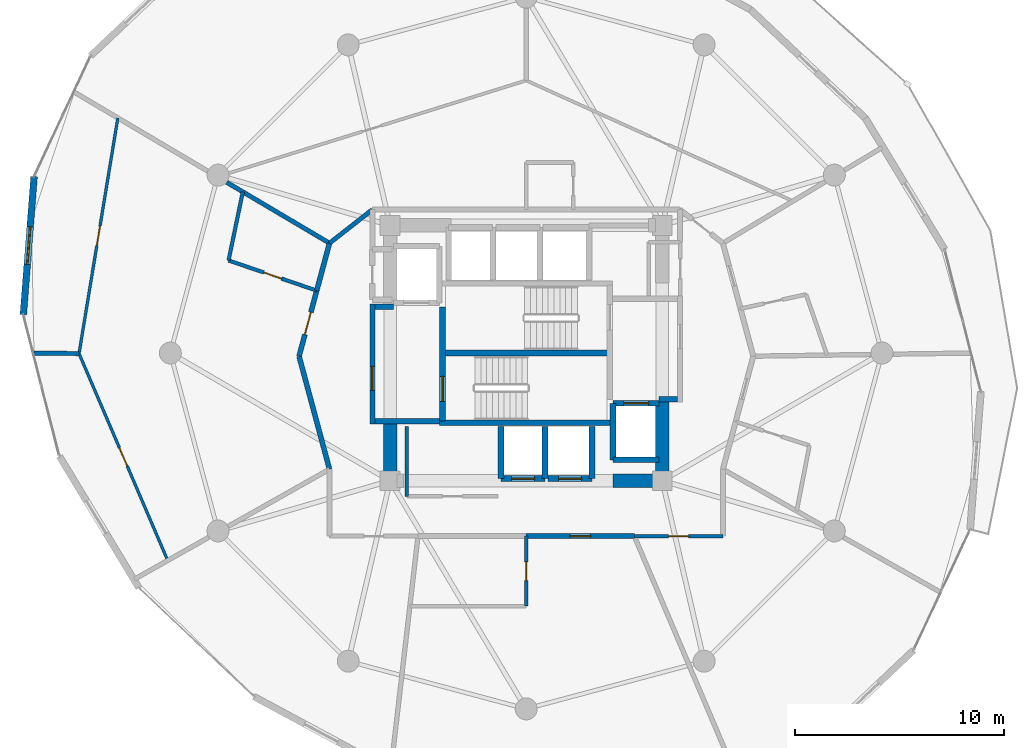
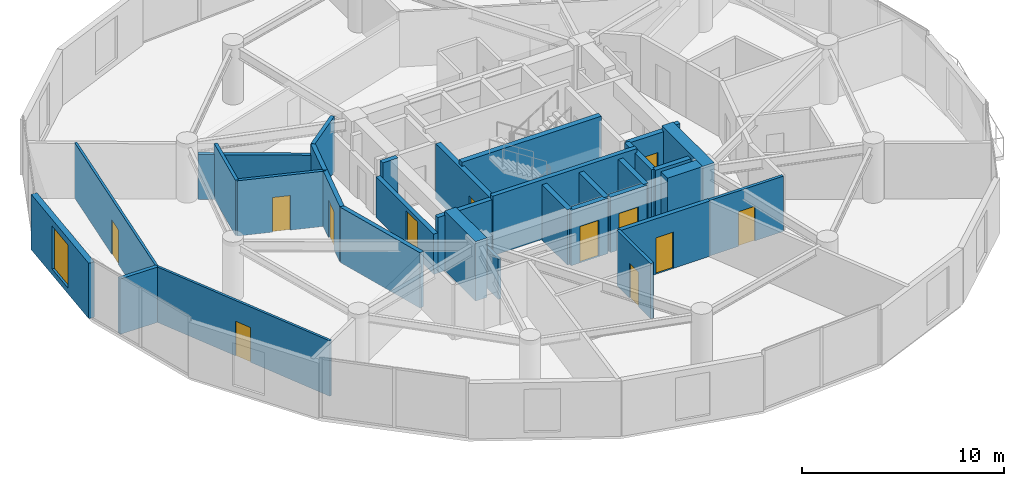
# One storey, part 20 of 25: 33 walls, 12 doors, 1 window, 13 openings.
"""IFC4 building model written with IfcOpenShell, lengths in metres."""

from ifc_helpers import new_model, si_unit, direction, frame, frame_2d, origin, place, context, subcontext, project, spatial, rectangle, extrude, material, layer, layer_set, type_object, element, fill, save


model = new_model("IFC4")

# Units and contexts
model_context = context("Model", 3, precision=1e-05, world=origin(), true_north=direction((0.0, 1.0)))
body_context = subcontext(model_context, "Body", "Model", "MODEL_VIEW")
ifc_project = project(units=[si_unit("LENGTHUNIT", "METRE"), si_unit("AREAUNIT", "SQUARE_METRE"), si_unit("VOLUMEUNIT", "CUBIC_METRE"), si_unit("PLANEANGLEUNIT", "RADIAN"), si_unit("MASSUNIT", "GRAM", prefix="KILO")], contexts=[model_context])

# Site, building, storey
site_placement = place(None, origin())
site = spatial("IfcSite", under=ifc_project, at=site_placement, CompositionType="ELEMENT")
building_placement = place(site_placement, origin())
building = spatial("IfcBuilding", under=site, at=building_placement, Name="Solvirekh Grand Hotel", CompositionType="ELEMENT")
storey_placement = place(building_placement, frame((0.0, 0.0, 120.60009765625)))
storey = spatial("IfcBuildingStorey", under=building, at=storey_placement, Name="L30", CompositionType="ELEMENT", Elevation=120.60009765625)

# Wall
ifc_material_1 = material(Name="Concrete C50/60", Category="concrete")
ifc_layer_1 = layer(ifc_material_1, 0.35009765625)
ifc_layer_set_1 = layer_set([ifc_layer_1], Name="Concrete C50/60")
wall_type_1 = type_object("IfcWallType", Name="CoreDivWall_RC350", PredefinedType="SOLIDWALL", material=ifc_layer_set_1)
wall_1_placement = place(storey_placement, frame((-4.1298828125, -3.324951171875, 0.0), z_axis=(0.0, 0.0, 1.0), x_axis=(1.0, 0.0, 0.0)))
element("IfcWall", 1, at=wall_1_placement, inside=storey, type_object=wall_type_1, Name="L30 core stair box wall ST-S", PredefinedType="SOLIDWALL", context=body_context, shape_type="SweptSolid", body=[
    extrude(rectangle(XDim=8.259765625, YDim=0.25, at=frame_2d((4.1298828125, 0.0))), origin(), (0.0, 0.0, 1.0), 3.599853515625),
])

# Wall, opening, door
ifc_material_2 = material(Name="Concrete C40/50", Category="concrete")
ifc_layer_2 = layer(ifc_material_2, 0.280029296875)
ifc_layer_set_2 = layer_set([ifc_layer_2], Name="Concrete C40/50")
wall_type_2 = type_object("IfcWallType", Name="CoreShaftWall_RC280", PredefinedType="SOLIDWALL", material=ifc_layer_set_2)
wall_2_placement = place(storey_placement, frame((-1.199951171875, -6.0, 0.0), z_axis=(0.0, 0.0, 1.0), x_axis=(1.0, 0.0, 0.0)))
wall_2 = element("IfcWall", 2, at=wall_2_placement, inside=storey, type_object=wall_type_2, Name="L30 MP-1 hoistway S wall", PredefinedType="SOLIDWALL", context=body_context, shape_type="SweptSolid", body=[
    extrude(rectangle(XDim=2.099853515625, YDim=0.280029296875, at=frame_2d((1.0498046875, 0.0))), origin(), (0.0, 0.0, 1.0), 3.349853515625),
])
opening_1_placement = place(wall_2_placement, frame((0.5, 0.0, 0.0)))
opening_1 = element("IfcOpeningElement", 3, at=opening_1_placement, cuts=wall_2, Name="Opening LD01", PredefinedType="OPENING", context=body_context, shape_type="SweptSolid", body=[
    extrude(rectangle(XDim=1.10009765625, YDim=2.199951171875, at=frame_2d((0.550048828125, 1.10009765625))), frame((0.0, 0.14990234375, 0.0), z_axis=(0.0, -1.0, 0.0), x_axis=(1.0, 0.0, 0.0)), (0.0, 0.0, 1.0), 0.300048828125),
])
ifc_material_3 = material(Name="Fire-Rated Steel Door Assembly", Category="steel")
door_type_1 = type_object("IfcDoorType", Name="Door_LiftLanding_1100X2200", OperationType="SLIDING_TO_LEFT", PredefinedType="DOOR", material=ifc_material_3)
door_1_placement = place(opening_1_placement, origin())
door_1 = element("IfcDoor", 4, at=door_1_placement, inside=storey, type_object=door_type_1, Name="L30 MP-1 sliding lift landing door", OperationType="SLIDING_TO_LEFT", OverallHeight=2.199951171875, OverallWidth=1.10009765625, PredefinedType="DOOR", context=body_context, shape_type="SweptSolid", body=[
    extrude(rectangle(XDim=1.10009765625, YDim=2.199951171875, at=frame_2d((0.550048828125, 1.10009765625))), frame((0.0, 0.02490234375, 0.0), z_axis=(0.0, -1.0, 0.0), x_axis=(1.0, 0.0, 0.0)), (0.0, 0.0, 1.0), 0.050048828125),
])
fill(opening_1, door_1)

# Walls
for number, where, z_axis, x_axis, name in (
    (5, (-1.199951171875, -3.5, 0.0), (0.0, 0.0, 1.0), (0.0, -1.0, 0.0), "L30 MP-1 hoistway W wall"),
    (6, (0.89990234375, -6.0, 0.0), (0.0, 0.0, 1.0), (0.0, 1.0, 0.0), "L30 MP-1 hoistway E wall"),
):
    element("IfcWall", number, at=place(storey_placement, frame(where, z_axis=z_axis, x_axis=x_axis)), inside=storey, type_object=wall_type_2, Name=name, PredefinedType="SOLIDWALL", context=body_context, shape_type="SweptSolid", body=[
        extrude(rectangle(XDim=2.5, YDim=0.280029296875, at=frame_2d((1.25, 0.0))), origin(), (0.0, 0.0, 1.0), 3.349853515625),
    ])

# Wall, opening, door
wall_3_placement = place(storey_placement, frame((1.050048828125, -6.0, 0.0), z_axis=(0.0, 0.0, 1.0), x_axis=(1.0, 0.0, 0.0)))
wall_3 = element("IfcWall", 7, at=wall_3_placement, inside=storey, type_object=wall_type_2, Name="L30 MP-2 hoistway S wall", PredefinedType="SOLIDWALL", context=body_context, shape_type="SweptSolid", body=[
    extrude(rectangle(XDim=2.099853515625, YDim=0.280029296875, at=frame_2d((1.0498046875, 0.0))), origin(), (0.0, 0.0, 1.0), 3.349853515625),
])
opening_2_placement = place(wall_3_placement, frame((0.5, 0.0, 0.0)))
opening_2 = element("IfcOpeningElement", 8, at=opening_2_placement, cuts=wall_3, Name="Opening LD01", PredefinedType="OPENING", context=body_context, shape_type="SweptSolid", body=[
    extrude(rectangle(XDim=1.10009765625, YDim=2.199951171875, at=frame_2d((0.550048828125, 1.10009765625))), frame((0.0, 0.14990234375, 0.0), z_axis=(0.0, -1.0, 0.0), x_axis=(1.0, 0.0, 0.0)), (0.0, 0.0, 1.0), 0.300048828125),
])
door_2_placement = place(opening_2_placement, origin())
door_2 = element("IfcDoor", 9, at=door_2_placement, inside=storey, type_object=door_type_1, Name="L30 MP-2 sliding lift landing door", OperationType="SLIDING_TO_LEFT", OverallHeight=2.199951171875, OverallWidth=1.10009765625, PredefinedType="DOOR", context=body_context, shape_type="SweptSolid", body=[
    extrude(rectangle(XDim=1.10009765625, YDim=2.199951171875, at=frame_2d((0.550048828125, 1.10009765625))), frame((0.0, 0.02490234375, 0.0), z_axis=(0.0, -1.0, 0.0), x_axis=(1.0, 0.0, 0.0)), (0.0, 0.0, 1.0), 0.050048828125),
])
fill(opening_2, door_2)

# Walls
wall_4_placement = place(storey_placement, frame((3.14990234375, -6.0, 0.0), z_axis=(0.0, 0.0, 1.0), x_axis=(0.0, 1.0, 0.0)))
element("IfcWall", 10, at=wall_4_placement, inside=storey, type_object=wall_type_2, Name="L30 MP-2 hoistway E wall", PredefinedType="SOLIDWALL", context=body_context, shape_type="SweptSolid", body=[
    extrude(rectangle(XDim=2.5, YDim=0.280029296875, at=frame_2d((1.25, 0.0))), origin(), (0.0, 0.0, 1.0), 3.349853515625),
])
wall_5_placement = place(storey_placement, frame((4.14990234375, -5.10009765625, 0.0), z_axis=(0.0, 0.0, 1.0), x_axis=(1.0, 0.0, 0.0)))
element("IfcWall", 11, at=wall_5_placement, inside=storey, type_object=wall_type_2, Name="L30 FL-2 hoistway S wall", PredefinedType="SOLIDWALL", context=body_context, shape_type="SweptSolid", body=[
    extrude(rectangle(XDim=2.2001953125, YDim=0.280029296875, at=frame_2d((1.10009765625, 0.0))), origin(), (0.0, 0.0, 1.0), 3.349853515625),
])

# Wall, opening, door
wall_6_placement = place(storey_placement, frame((6.35009765625, -2.39990234375, 0.0), z_axis=(0.0, 0.0, 1.0), x_axis=(-1.0, 0.0, 0.0)))
wall_6 = element("IfcWall", 12, at=wall_6_placement, inside=storey, type_object=wall_type_2, Name="L30 FL-2 hoistway N wall", PredefinedType="SOLIDWALL", context=body_context, shape_type="SweptSolid", body=[
    extrude(rectangle(XDim=2.2001953125, YDim=0.280029296875, at=frame_2d((1.10009765625, 0.0))), origin(), (0.0, 0.0, 1.0), 3.349853515625),
])
opening_3_placement = place(wall_6_placement, frame((0.5, 0.0, 0.0)))
opening_3 = element("IfcOpeningElement", 13, at=opening_3_placement, cuts=wall_6, Name="Opening LD02", PredefinedType="OPENING", context=body_context, shape_type="SweptSolid", body=[
    extrude(rectangle(XDim=1.199951171875, YDim=2.199951171875, at=frame_2d((0.60009765625, 1.10009765625))), frame((0.0, 0.14990234375, 0.0), z_axis=(0.0, -1.0, 0.0), x_axis=(1.0, 0.0, 0.0)), (0.0, 0.0, 1.0), 0.300048828125),
])
door_type_2 = type_object("IfcDoorType", Name="Door_LiftFF_1200X2200", OperationType="SLIDING_TO_LEFT", PredefinedType="DOOR", material=ifc_material_3)
door_3_placement = place(opening_3_placement, origin())
door_3 = element("IfcDoor", 14, at=door_3_placement, inside=storey, type_object=door_type_2, Name="L30 FL-2 sliding lift landing door", OperationType="SLIDING_TO_LEFT", OverallHeight=2.199951171875, OverallWidth=1.199951171875, PredefinedType="DOOR", context=body_context, shape_type="SweptSolid", body=[
    extrude(rectangle(XDim=1.199951171875, YDim=2.199951171875, at=frame_2d((0.60009765625, 1.10009765625))), frame((0.0, 0.02490234375, 0.0), z_axis=(0.0, -1.0, 0.0), x_axis=(1.0, 0.0, 0.0)), (0.0, 0.0, 1.0), 0.050048828125),
])
fill(opening_3, door_3)

# Wall
wall_7_placement = place(storey_placement, frame((4.14990234375, -2.39990234375, 0.0), z_axis=(0.0, 0.0, 1.0), x_axis=(0.0, -1.0, 0.0)))
element("IfcWall", 15, at=wall_7_placement, inside=storey, type_object=wall_type_2, Name="L30 FL-2 hoistway W wall", PredefinedType="SOLIDWALL", context=body_context, shape_type="SweptSolid", body=[
    extrude(rectangle(XDim=2.7001953125, YDim=0.280029296875, at=frame_2d((1.35009765625, 0.0))), origin(), (0.0, 0.0, 1.0), 3.349853515625),
])

# Wall, opening, door
wall_8_placement = place(storey_placement, frame((-3.989990234375, -3.25, 0.0), z_axis=(0.0, 0.0, 1.0), x_axis=(0.0, 1.0, 0.0)))
wall_8 = element("IfcWall", 16, at=wall_8_placement, inside=storey, type_object=wall_type_2, Name="L30 west stair landing enclosure wall", PredefinedType="SOLIDWALL", context=body_context, shape_type="SweptSolid", body=[
    extrude(rectangle(XDim=5.4599609375, YDim=0.280029296875, at=frame_2d((2.72998046875, 0.0))), origin(), (0.0, 0.0, 1.0), 3.349853515625),
])
opening_4_placement = place(wall_8_placement, frame((0.93701171875, 0.0, 0.0)))
opening_4 = element("IfcOpeningElement", 17, at=opening_4_placement, cuts=wall_8, Name="Opening D05", PredefinedType="OPENING", context=body_context, shape_type="SweptSolid", body=[
    extrude(rectangle(XDim=1.199951171875, YDim=2.199951171875, at=frame_2d((0.60009765625, 1.10009765625))), frame((0.0, 0.14990234375, 0.0), z_axis=(0.0, -1.0, 0.0), x_axis=(1.0, 0.0, 0.0)), (0.0, 0.0, 1.0), 0.300048828125),
])
door_type_3 = type_object("IfcDoorType", Name="Door_StairCore_1200X2200", OperationType="NOTDEFINED", PredefinedType="DOOR", material=ifc_material_3)
door_4_placement = place(opening_4_placement, origin())
door_4 = element("IfcDoor", 18, at=door_4_placement, inside=storey, type_object=door_type_3, Name="L30 exit stair ST-1 fire door", OperationType="SINGLE_SWING_RIGHT", OverallHeight=2.199951171875, OverallWidth=1.199951171875, PredefinedType="DOOR", context=body_context, shape_type="SweptSolid", body=[
    extrude(rectangle(XDim=1.199951171875, YDim=2.199951171875, at=frame_2d((0.60009765625, 1.10009765625))), frame((0.0, 0.02490234375, 0.0), z_axis=(0.0, -1.0, 0.0), x_axis=(1.0, 0.0, 0.0)), (0.0, 0.0, 1.0), 0.050048828125),
])
fill(opening_4, door_4)

# Walls
ifc_layer_3 = layer(ifc_material_1, 0.64990234375)
ifc_layer_set_3 = layer_set([ifc_layer_3], Name="Concrete C50/60")
wall_type_3 = type_object("IfcWallType", Name="CoreWall_RC650", PredefinedType="SHEAR", material=ifc_layer_set_3)
wall_9_placement = place(storey_placement, frame((-3.989990234375, 0.0, 0.0), z_axis=(0.0, 0.0, 1.0), x_axis=(1.0, 0.0, 0.0)))
element("IfcWall", 19, at=wall_9_placement, inside=storey, type_object=wall_type_3, Name="L30 central stair-spine shear wall", PredefinedType="SHEAR", context=body_context, shape_type="SweptSolid", body=[
    extrude(rectangle(XDim=7.97998046875, YDim=0.300048828125, at=frame_2d((3.989990234375, 0.0))), origin(), (0.0, 0.0, 1.0), 3.599853515625),
])
wall_10_placement = place(storey_placement, frame((4.14990234375, -6.10009765625, 0.0), z_axis=(0.0, 0.0, 1.0), x_axis=(1.0, 0.0, 0.0)))
element("IfcWall", 20, at=wall_10_placement, inside=storey, type_object=wall_type_3, Name="L30 core corner shear wall SE-S", PredefinedType="SHEAR", context=body_context, shape_type="SweptSolid", body=[
    extrude(rectangle(XDim=2.025146484375, YDim=0.64990234375, at=frame_2d((1.0126953125, 0.0))), origin(), (0.0, 0.0, 1.0), 3.599853515625),
])
wall_11_placement = place(storey_placement, frame((-6.5, -6.425048828125, 0.0), z_axis=(0.0, 0.0, 1.0), x_axis=(0.0, 1.0, 0.0)))
element("IfcWall", 21, at=wall_11_placement, inside=storey, type_object=wall_type_3, Name="L30 core corner shear wall WS-W", PredefinedType="SHEAR", context=body_context, shape_type="SweptSolid", body=[
    extrude(rectangle(XDim=3.074951171875, YDim=0.64990234375, at=frame_2d((1.53759765625, 0.0))), origin(), (0.0, 0.0, 1.0), 3.599853515625),
])
wall_12_placement = place(storey_placement, frame((6.5, -6.425048828125, 0.0), z_axis=(0.0, 0.0, 1.0), x_axis=(0.0, 1.0, 0.0)))
element("IfcWall", 22, at=wall_12_placement, inside=storey, type_object=wall_type_3, Name="L30 core corner shear wall ES-E", PredefinedType="SHEAR", context=body_context, shape_type="SweptSolid", body=[
    extrude(rectangle(XDim=4.074951171875, YDim=0.64990234375, at=frame_2d((2.03759765625, 0.0))), origin(), (0.0, 0.0, 1.0), 3.599853515625),
])

# Wall, opening, window
ifc_material_4 = material(Name="Precast concrete C45/55", Category="concrete")
ifc_layer_4 = layer(ifc_material_4, 0.320068359375)
ifc_layer_set_4 = layer_set([ifc_layer_4], Name="Precast concrete C45/55")
wall_type_4 = type_object("IfcWallType", Name="ExtLobbyWall_RC320", PredefinedType="SOLIDWALL", material=ifc_layer_set_4)
wall_13_placement = place(storey_placement, frame((-24.02294921875, 1.837890625, 0.0), z_axis=(0.0, 0.0, 1.0), x_axis=(0.077566011703, 0.996987218488, 0.0)))
wall_13 = element("IfcWall", 23, at=wall_13_placement, inside=storey, type_object=wall_type_4, Name="L30 exterior structural wall chord 12", PredefinedType="SOLIDWALL", context=body_context, shape_type="SweptSolid", body=[
    extrude(rectangle(XDim=6.613037109375, YDim=0.320068359375, at=frame_2d((3.306640625, 0.0))), origin(), (0.0, 0.0, 1.0), 3.349853515625),
])
opening_5_placement = place(wall_13_placement, frame((2.406005859375, 0.0, 0.35009765625)))
opening_5 = element("IfcOpeningElement", 24, at=opening_5_placement, cuts=wall_13, Name="Opening W02", PredefinedType="OPENING", context=body_context, shape_type="SweptSolid", body=[
    extrude(rectangle(XDim=1.800048828125, YDim=2.60009765625, at=frame_2d((0.89990234375, 1.300048828125))), frame((0.0, 0.169921875, 0.0), z_axis=(0.0, -1.0, 0.0), x_axis=(1.0, 0.0, 0.0)), (0.0, 0.0, 1.0), 0.340087890625),
])
ifc_material_5 = material(Name="Low-E Tinted Bronze Laminated Glass", Category="aluminium")
window_type = type_object("IfcWindowType", Name="Win_LobbyExt_1800X2600", PartitioningType="SINGLE_PANEL", PredefinedType="WINDOW", material=ifc_material_5)
window_placement = place(opening_5_placement, origin())
window = element("IfcWindow", 25, at=window_placement, inside=storey, type_object=window_type, Name="L30 panoramic bronze-framed window 12", OverallHeight=2.60009765625, OverallWidth=1.800048828125, PartitioningType="SINGLE_PANEL", PredefinedType="WINDOW", context=body_context, shape_type="SweptSolid", body=[
    extrude(rectangle(XDim=1.800048828125, YDim=2.60009765625, at=frame_2d((0.89990234375, 1.300048828125))), frame((0.0, 0.030029296875, 0.0), z_axis=(0.0, -1.0, 0.0), x_axis=(1.0, 0.0, 0.0)), (0.0, 0.0, 1.0), 0.06005859375),
])
fill(opening_5, window)

# Wall
ifc_material_6 = material(Name="Acoustic Gypsum Partition Assembly")
ifc_layer_5 = layer(ifc_material_6, 0.1650390625)
ifc_layer_set_5 = layer_set([ifc_layer_5], Name="Acoustic Gypsum Partition Assembly")
wall_type_5 = type_object("IfcWallType", Name="Part_BOH_165", PredefinedType="PARTITIONING", material=ifc_layer_set_5)
wall_14_placement = place(storey_placement, frame((-5.699951171875, -3.5, 0.0), z_axis=(0.0, 0.0, 1.0), x_axis=(0.0, -1.0, 0.0)))
element("IfcWall", 26, at=wall_14_placement, inside=storey, type_object=wall_type_5, Name="L30 Mid-Zone Housekeeping Linen Room wall 4", PredefinedType="PARTITIONING", context=body_context, shape_type="SweptSolid", body=[
    extrude(rectangle(XDim=3.35009765625, YDim=0.1650390625, at=frame_2d((1.675048828125, 0.0))), origin(), (0.0, 0.0, 1.0), 2.434814453125),
])

# Wall, opening, door
wall_15_placement = place(storey_placement, frame((5.16796875, -8.75, 0.0), z_axis=(0.0, 0.0, 1.0), x_axis=(1.0, 0.0, 0.0)))
wall_15 = element("IfcWall", 27, at=wall_15_placement, inside=storey, type_object=wall_type_5, Name="L30 L30 Butler Valet & Linen Steward Room entrance wall", PredefinedType="PARTITIONING", context=body_context, shape_type="SweptSolid", body=[
    extrude(rectangle(XDim=4.22802734375, YDim=0.1650390625, at=frame_2d((2.114013671875, 0.0))), origin(), (0.0, 0.0, 1.0), 3.349853515625),
])
opening_6_placement = place(wall_15_placement, frame((1.638916015625, 0.0, 0.0)))
opening_6 = element("IfcOpeningElement", 28, at=opening_6_placement, cuts=wall_15, Name="Opening D10", PredefinedType="OPENING", context=body_context, shape_type="SweptSolid", body=[
    extrude(rectangle(XDim=0.949951171875, YDim=2.10009765625, at=frame_2d((0.47509765625, 1.050048828125))), frame((0.0, 0.092529296875, 0.0), z_axis=(0.0, -1.0, 0.0), x_axis=(1.0, 0.0, 0.0)), (0.0, 0.0, 1.0), 0.18505859375),
])
ifc_material_7 = material(Name="Anodized Bronze Aluminium 6063-T6", Category="aluminium")
door_type_4 = type_object("IfcDoorType", Name="Door_RoomInt_950X2100", OperationType="NOTDEFINED", PredefinedType="DOOR", material=ifc_material_7)
door_5_placement = place(opening_6_placement, origin())
door_5 = element("IfcDoor", 29, at=door_5_placement, inside=storey, type_object=door_type_4, Name="L30 L30 Butler Valet & Linen Steward Room entrance door", OperationType="SINGLE_SWING_RIGHT", OverallHeight=2.10009765625, OverallWidth=0.949951171875, PredefinedType="DOOR", context=body_context, shape_type="SweptSolid", body=[
    extrude(rectangle(XDim=0.949951171875, YDim=2.10009765625, at=frame_2d((0.47509765625, 1.050048828125))), frame((0.0, 0.02490234375, 0.0), z_axis=(0.0, -1.0, 0.0), x_axis=(1.0, 0.0, 0.0)), (0.0, 0.0, 1.0), 0.050048828125),
])
fill(opening_6, door_5)

ifc_layer_6 = layer(ifc_material_6, 0.239990234375)
ifc_layer_set_6 = layer_set([ifc_layer_6], Name="Acoustic Gypsum Partition Assembly")
wall_type_6 = type_object("IfcWallType", Name="Part_Corridor_240", PredefinedType="PARTITIONING", material=ifc_layer_set_6)
wall_16_placement = place(storey_placement, frame((-7.35009765625, -3.3798828125, 0.0), z_axis=(0.0, 0.0, 1.0), x_axis=(0.0, 1.0, 0.0)))
wall_16 = element("IfcWall", 30, at=wall_16_placement, inside=storey, type_object=wall_type_6, Name="L30 west firefighting lobby smoke screen wall", PredefinedType="PARTITIONING", context=body_context, shape_type="SweptSolid", body=[
    extrude(rectangle(XDim=5.719970703125, YDim=0.239990234375, at=frame_2d((2.85986328125, 0.0))), origin(), (0.0, 0.0, 1.0), 2.434814453125),
])
opening_7_placement = place(wall_16_placement, frame((1.59912109375, 0.0, 0.0)))
opening_7 = element("IfcOpeningElement", 31, at=opening_7_placement, cuts=wall_16, Name="Opening D06", PredefinedType="OPENING", context=body_context, shape_type="SweptSolid", body=[
    extrude(rectangle(XDim=1.14990234375, YDim=2.199951171875, at=frame_2d((0.574951171875, 1.10009765625))), frame((0.0, 0.1298828125, 0.0), z_axis=(0.0, -1.0, 0.0), x_axis=(1.0, 0.0, 0.0)), (0.0, 0.0, 1.0), 0.260009765625),
])
door_type_5 = type_object("IfcDoorType", Name="Door_FFLobby_1150X2200", OperationType="NOTDEFINED", PredefinedType="DOOR", material=ifc_material_3)
door_6_placement = place(opening_7_placement, origin())
door_6 = element("IfcDoor", 32, at=door_6_placement, inside=storey, type_object=door_type_5, Name="L30 west firefighting lobby smoke door", OperationType="SINGLE_SWING_RIGHT", OverallHeight=2.199951171875, OverallWidth=1.14990234375, PredefinedType="DOOR", context=body_context, shape_type="SweptSolid", body=[
    extrude(rectangle(XDim=1.14990234375, YDim=2.199951171875, at=frame_2d((0.574951171875, 1.10009765625))), frame((0.0, 0.02490234375, 0.0), z_axis=(0.0, -1.0, 0.0), x_axis=(1.0, 0.0, 0.0)), (0.0, 0.0, 1.0), 0.050048828125),
])
fill(opening_7, door_6)

# Walls
wall_17_placement = place(storey_placement, frame((-9.39599609375, 5.25, 0.0), z_axis=(0.0, 0.0, 1.0), x_axis=(-0.260152382661, -0.965567572879, 0.0)))
element("IfcWall", 33, at=wall_17_placement, inside=storey, type_object=wall_type_6, Name="L30 En-suite Bathroom 3202 corridor backing wall", PredefinedType="PARTITIONING", context=body_context, shape_type="SweptSolid", body=[
    extrude(rectangle(XDim=2.348876953125, YDim=0.239990234375, at=frame_2d((1.17431640625, 0.0))), origin(), (0.0, 0.0, 1.0), 3.349853515625),
])
wall_18_placement = place(storey_placement, frame((-10.85009765625, -0.14990234375, 0.0), z_axis=(0.0, 0.0, 1.0), x_axis=(0.260009481157, -0.965606063417, 0.0)))
element("IfcWall", 34, at=wall_18_placement, inside=storey, type_object=wall_type_6, Name="L30 Executive Suite 3202 Living Room corridor wall 1", PredefinedType="PARTITIONING", context=body_context, shape_type="SweptSolid", body=[
    extrude(rectangle(XDim=5.592529296875, YDim=0.239990234375, at=frame_2d((2.79638671875, 0.0))), origin(), (0.0, 0.0, 1.0), 3.349853515625),
])

# Wall, opening, door
wall_19_placement = place(storey_placement, frame((-10.007080078125, 2.98193359375, 0.0), z_axis=(0.0, 0.0, 1.0), x_axis=(-0.259924881751, -0.965628839589, 0.0)))
wall_19 = element("IfcWall", 35, at=wall_19_placement, inside=storey, type_object=wall_type_6, Name="L30 Executive Suite 3202 Living Room entrance wall", PredefinedType="PARTITIONING", context=body_context, shape_type="SweptSolid", body=[
    extrude(rectangle(XDim=3.243408203125, YDim=0.239990234375, at=frame_2d((1.62158203125, 0.0))), origin(), (0.0, 0.0, 1.0), 3.349853515625),
])
opening_8_placement = place(wall_19_placement, frame((1.072021484375, 0.0, 0.0)))
opening_8 = element("IfcOpeningElement", 36, at=opening_8_placement, cuts=wall_19, Name="Opening D08", PredefinedType="OPENING", context=body_context, shape_type="SweptSolid", body=[
    extrude(rectangle(XDim=1.10009765625, YDim=2.300048828125, at=frame_2d((0.550048828125, 1.14990234375))), frame((0.0, 0.1298828125, 0.0), z_axis=(0.0, -1.0, 0.0), x_axis=(1.0, 0.0, 0.0)), (0.0, 0.0, 1.0), 0.260009765625),
])
door_type_6 = type_object("IfcDoorType", Name="Door_SuiteEntry_1100X2300", OperationType="NOTDEFINED", PredefinedType="DOOR", material=ifc_material_3)
door_7_placement = place(opening_8_placement, origin())
door_7 = element("IfcDoor", 37, at=door_7_placement, inside=storey, type_object=door_type_6, Name="L30 Executive Suite 3202 Living Room entrance door", OperationType="SINGLE_SWING_RIGHT", OverallHeight=2.300048828125, OverallWidth=1.10009765625, PredefinedType="DOOR", context=body_context, shape_type="SweptSolid", body=[
    extrude(rectangle(XDim=1.10009765625, YDim=2.300048828125, at=frame_2d((0.550048828125, 1.14990234375))), frame((0.0, 0.02490234375, 0.0), z_axis=(0.0, -1.0, 0.0), x_axis=(1.0, 0.0, 0.0)), (0.0, 0.0, 1.0), 0.050048828125),
])
fill(opening_8, door_7)

wall_20_placement = place(storey_placement, frame((0.0, -8.75, 0.0), z_axis=(0.0, 0.0, 1.0), x_axis=(1.0, 0.0, 0.0)))
wall_20 = element("IfcWall", 38, at=wall_20_placement, inside=storey, type_object=wall_type_6, Name="L30 Deluxe Guestroom 3205 entrance wall", PredefinedType="PARTITIONING", context=body_context, shape_type="SweptSolid", body=[
    extrude(rectangle(XDim=5.16796875, YDim=0.239990234375, at=frame_2d((2.583984375, 0.0))), origin(), (0.0, 0.0, 1.0), 3.349853515625),
])
opening_9_placement = place(wall_20_placement, frame((2.083984375, 0.0, 0.0)))
opening_9 = element("IfcOpeningElement", 39, at=opening_9_placement, cuts=wall_20, Name="Opening D07", PredefinedType="OPENING", context=body_context, shape_type="SweptSolid", body=[
    extrude(rectangle(XDim=1.0, YDim=2.199951171875, at=frame_2d((0.5, 1.10009765625))), frame((0.0, 0.1298828125, 0.0), z_axis=(0.0, -1.0, 0.0), x_axis=(1.0, 0.0, 0.0)), (0.0, 0.0, 1.0), 0.260009765625),
])
door_type_7 = type_object("IfcDoorType", Name="Door_GuestEntry_1000X2200", OperationType="NOTDEFINED", PredefinedType="DOOR", material=ifc_material_3)
door_8_placement = place(opening_9_placement, origin())
door_8 = element("IfcDoor", 40, at=door_8_placement, inside=storey, type_object=door_type_7, Name="L30 Deluxe Guestroom 3205 entrance door", OperationType="SINGLE_SWING_LEFT", OverallHeight=2.199951171875, OverallWidth=1.0, PredefinedType="DOOR", context=body_context, shape_type="SweptSolid", body=[
    extrude(rectangle(XDim=1.0, YDim=2.199951171875, at=frame_2d((0.5, 1.10009765625))), frame((0.0, 0.02490234375, 0.0), z_axis=(0.0, -1.0, 0.0), x_axis=(1.0, 0.0, 0.0)), (0.0, 0.0, 1.0), 0.050048828125),
])
fill(opening_9, door_8)

# Walls
ifc_layer_7 = layer(ifc_material_6, 0.260009765625)
ifc_layer_set_7 = layer_set([ifc_layer_7], Name="Acoustic Gypsum Partition Assembly")
wall_type_7 = type_object("IfcWallType", Name="Part_LobbyFF_260", PredefinedType="PARTITIONING", material=ifc_layer_set_7)
wall_21_placement = place(storey_placement, frame((-7.22509765625, -3.25, 0.0), z_axis=(0.0, 0.0, 1.0), x_axis=(1.0, 0.0, 0.0)))
element("IfcWall", 41, at=wall_21_placement, inside=storey, type_object=wall_type_7, Name="L30 west firefighting lobby south partition", PredefinedType="PARTITIONING", context=body_context, shape_type="SweptSolid", body=[
    extrude(rectangle(XDim=3.09521484375, YDim=0.260009765625, at=frame_2d((1.547607421875, 0.0))), origin(), (0.0, 0.0, 1.0), 3.349853515625),
])
for number, where, z_axis, x_axis, name in (
    (42, (-7.22509765625, 2.2099609375, 0.0), (0.0, 0.0, 1.0), (1.0, 0.0, 0.0), "L30 west firefighting lobby NW cheek"),
    (43, (6.35009765625, -2.2099609375, 0.0), (0.0, 0.0, 1.0), (1.0, 0.0, 0.0), "L30 east firefighting lobby SE cheek"),
):
    element("IfcWall", number, at=place(storey_placement, frame(where, z_axis=z_axis, x_axis=x_axis)), inside=storey, type_object=wall_type_7, Name=name, PredefinedType="PARTITIONING", context=body_context, shape_type="SweptSolid", body=[
        extrude(rectangle(XDim=0.875, YDim=0.260009765625, at=frame_2d((0.4375, 0.0))), origin(), (0.0, 0.0, 1.0), 3.349853515625),
    ])

# Wall, opening, door
ifc_layer_8 = layer(ifc_material_6, 0.135009765625)
ifc_layer_set_8 = layer_set([ifc_layer_8], Name="Acoustic Gypsum Partition Assembly")
wall_type_8 = type_object("IfcWallType", Name="Part_RoomInt_135", PredefinedType="PARTITIONING", material=ifc_layer_set_8)
wall_22_placement = place(storey_placement, frame((-19.508056640625, 11.23291015625, 0.0), z_axis=(0.0, 0.0, 1.0), x_axis=(-0.16248342038, -0.986711273931, 0.0)))
wall_22 = element("IfcWall", 44, at=wall_22_placement, inside=storey, type_object=wall_type_8, Name="L30 Executive Suite 3202 Living Room bedroom screen wall", PredefinedType="PARTITIONING", context=body_context, shape_type="SweptSolid", body=[
    extrude(rectangle(XDim=11.410400390625, YDim=0.135009765625, at=frame_2d((5.705078125, 0.0))), origin(), (0.0, 0.0, 1.0), 3.349853515625),
])
opening_10_placement = place(wall_22_placement, frame((5.22998046875, 0.0, 0.0)))
opening_10 = element("IfcOpeningElement", 45, at=opening_10_placement, cuts=wall_22, Name="Opening D10", PredefinedType="OPENING", context=body_context, shape_type="SweptSolid", body=[
    extrude(rectangle(XDim=0.949951171875, YDim=2.10009765625, at=frame_2d((0.47509765625, 1.050048828125))), frame((0.0, 0.07763671875, 0.0), z_axis=(0.0, -1.0, 0.0), x_axis=(1.0, 0.0, 0.0)), (0.0, 0.0, 1.0), 0.155029296875),
])
door_9_placement = place(opening_10_placement, origin())
door_9 = element("IfcDoor", 46, at=door_9_placement, inside=storey, type_object=door_type_4, Name="L30 Executive Suite 3202 Living Room master bedroom door", OperationType="SINGLE_SWING_LEFT", OverallHeight=2.10009765625, OverallWidth=0.949951171875, PredefinedType="DOOR", context=body_context, shape_type="SweptSolid", body=[
    extrude(rectangle(XDim=0.949951171875, YDim=2.10009765625, at=frame_2d((0.47509765625, 1.050048828125))), frame((0.0, 0.02490234375, 0.0), z_axis=(0.0, -1.0, 0.0), x_axis=(1.0, 0.0, 0.0)), (0.0, 0.0, 1.0), 0.050048828125),
])
fill(opening_10, door_9)

wall_23_placement = place(storey_placement, frame((-21.362060546875, -0.02587890625, 0.0), z_axis=(0.0, 0.0, 1.0), x_axis=(0.39388093293, -0.919161471491, 0.0)))
wall_23 = element("IfcWall", 47, at=wall_23_placement, inside=storey, type_object=wall_type_8, Name="L30 Executive Suite 3202 Panorama Suite Study bedroom screen wall", PredefinedType="PARTITIONING", context=body_context, shape_type="SweptSolid", body=[
    extrude(rectangle(XDim=10.752197265625, YDim=0.135009765625, at=frame_2d((5.3759765625, 0.0))), origin(), (0.0, 0.0, 1.0), 3.349853515625),
])
opening_11_placement = place(wall_23_placement, frame((4.90087890625, 0.0, 0.0)))
opening_11 = element("IfcOpeningElement", 48, at=opening_11_placement, cuts=wall_23, Name="Opening D10", PredefinedType="OPENING", context=body_context, shape_type="SweptSolid", body=[
    extrude(rectangle(XDim=0.949951171875, YDim=2.10009765625, at=frame_2d((0.47509765625, 1.050048828125))), frame((0.0, 0.07763671875, 0.0), z_axis=(0.0, -1.0, 0.0), x_axis=(1.0, 0.0, 0.0)), (0.0, 0.0, 1.0), 0.155029296875),
])
door_10_placement = place(opening_11_placement, origin())
door_10 = element("IfcDoor", 49, at=door_10_placement, inside=storey, type_object=door_type_4, Name="L30 Executive Suite 3202 Panorama Suite Study master bedroom door", OperationType="SINGLE_SWING_RIGHT", OverallHeight=2.10009765625, OverallWidth=0.949951171875, PredefinedType="DOOR", context=body_context, shape_type="SweptSolid", body=[
    extrude(rectangle(XDim=0.949951171875, YDim=2.10009765625, at=frame_2d((0.47509765625, 1.050048828125))), frame((0.0, 0.02490234375, 0.0), z_axis=(0.0, -1.0, 0.0), x_axis=(1.0, 0.0, 0.0)), (0.0, 0.0, 1.0), 0.050048828125),
])
fill(opening_11, door_10)

# Walls
ifc_layer_9 = layer(ifc_material_6, 0.2099609375)
ifc_layer_set_9 = layer_set([ifc_layer_9], Name="Acoustic Gypsum Partition Assembly")
wall_type_9 = type_object("IfcWallType", Name="Part_SuiteDemise_210", PredefinedType="PARTITIONING", material=ifc_layer_set_9)
wall_24_placement = place(storey_placement, frame((-9.39599609375, 5.25, 0.0), z_axis=(0.0, 0.0, 1.0), x_axis=(-0.860613457584, 0.509258752134, 0.0)))
element("IfcWall", 50, at=wall_24_placement, inside=storey, type_object=wall_type_9, Name="L30 suite radial wall 6 (A)", PredefinedType="PARTITIONING", context=body_context, shape_type="SweptSolid", body=[
    extrude(rectangle(XDim=5.70068359375, YDim=0.2099609375, at=frame_2d((2.850341796875, 0.0))), origin(), (0.0, 0.0, 1.0), 2.718994140625),
])
wall_25_placement = place(storey_placement, frame((-9.39599609375, 5.25, 0.0), z_axis=(0.0, 0.0, 1.0), x_axis=(0.7876993483, 0.6160598483, 0.0)))
element("IfcWall", 51, at=wall_25_placement, inside=storey, type_object=wall_type_9, Name="L30 Panorama Suite 3201 Inner Suite Lounge dividing partition 1", PredefinedType="PARTITIONING", context=body_context, shape_type="SweptSolid", body=[
    extrude(rectangle(XDim=2.597412109375, YDim=0.2099609375, at=frame_2d((1.298828125, 0.0))), origin(), (0.0, 0.0, 1.0), 3.349853515625),
])
wall_26_placement = place(storey_placement, frame((-21.362060546875, -0.02587890625, 0.0), z_axis=(0.0, 0.0, 1.0), x_axis=(-0.999927757215, 0.012019997989, 0.0)))
element("IfcWall", 52, at=wall_26_placement, inside=storey, type_object=wall_type_9, Name="L30 Executive Suite 3202 Living Room dividing partition 1", PredefinedType="PARTITIONING", context=body_context, shape_type="SweptSolid", body=[
    extrude(rectangle(XDim=2.153076171875, YDim=0.2099609375, at=frame_2d((1.07666015625, 0.0))), origin(), (0.0, 0.0, 1.0), 3.349853515625),
])
ifc_layer_10 = layer(ifc_material_6, 0.175048828125)
ifc_layer_set_10 = layer_set([ifc_layer_10], Name="Acoustic Gypsum Partition Assembly")
wall_type_10 = type_object("IfcWallType", Name="Plumb_Ensuite_175", PredefinedType="PLUMBINGWALL", material=ifc_layer_set_10)
wall_27_placement = place(storey_placement, frame((-13.5380859375, 7.700927734375, 0.0), z_axis=(0.0, 0.0, 1.0), x_axis=(-0.203225696563, -0.979131919741, 0.0)))
element("IfcWall", 53, at=wall_27_placement, inside=storey, type_object=wall_type_10, Name="L30 En-suite Bathroom 3202 outer plumbing wall", PredefinedType="PLUMBINGWALL", context=body_context, shape_type="SweptSolid", body=[
    extrude(rectangle(XDim=3.345703125, YDim=0.175048828125, at=frame_2d((1.6728515625, 0.0))), origin(), (0.0, 0.0, 1.0), 3.349853515625),
])

# Wall, opening, door
wall_28_placement = place(storey_placement, frame((-10.007080078125, 2.98193359375, 0.0), z_axis=(0.0, 0.0, 1.0), x_axis=(-0.945989686211, 0.3241967205, 0.0)))
wall_28 = element("IfcWall", 54, at=wall_28_placement, inside=storey, type_object=wall_type_10, Name="L30 En-suite Bathroom 3202 entry plumbing wall", PredefinedType="PLUMBINGWALL", context=body_context, shape_type="SweptSolid", body=[
    extrude(rectangle(XDim=4.451416015625, YDim=0.175048828125, at=frame_2d((2.2255859375, 0.0))), origin(), (0.0, 0.0, 1.0), 3.349853515625),
])
opening_12_placement = place(wall_28_placement, frame((1.77587890625, 0.0, 0.0)))
opening_12 = element("IfcOpeningElement", 55, at=opening_12_placement, cuts=wall_28, Name="Opening D09", PredefinedType="OPENING", context=body_context, shape_type="SweptSolid", body=[
    extrude(rectangle(XDim=0.89990234375, YDim=2.10009765625, at=frame_2d((0.449951171875, 1.050048828125))), frame((0.0, 0.09765625, 0.0), z_axis=(0.0, -1.0, 0.0), x_axis=(1.0, 0.0, 0.0)), (0.0, 0.0, 1.0), 0.195068359375),
])
door_type_8 = type_object("IfcDoorType", Name="Door_Ensuite_900X2100", OperationType="NOTDEFINED", PredefinedType="DOOR", material=ifc_material_7)
door_11_placement = place(opening_12_placement, origin())
door_11 = element("IfcDoor", 56, at=door_11_placement, inside=storey, type_object=door_type_8, Name="L30 En-suite Bathroom 3202 door", OperationType="SINGLE_SWING_LEFT", OverallHeight=2.10009765625, OverallWidth=0.89990234375, PredefinedType="DOOR", context=body_context, shape_type="SweptSolid", body=[
    extrude(rectangle(XDim=0.89990234375, YDim=2.10009765625, at=frame_2d((0.449951171875, 1.050048828125))), frame((0.0, 0.02490234375, 0.0), z_axis=(0.0, -1.0, 0.0), x_axis=(1.0, 0.0, 0.0)), (0.0, 0.0, 1.0), 0.050048828125),
])
fill(opening_12, door_11)

wall_29_placement = place(storey_placement, frame((0.0, -8.75, 0.0), z_axis=(0.0, 0.0, 1.0), x_axis=(0.0, -1.0, 0.0)))
wall_29 = element("IfcWall", 57, at=wall_29_placement, inside=storey, type_object=wall_type_10, Name="L30 En-suite Bathroom 3205 entry plumbing wall", PredefinedType="PLUMBINGWALL", context=body_context, shape_type="SweptSolid", body=[
    extrude(rectangle(XDim=3.343017578125, YDim=0.175048828125, at=frame_2d((1.67138671875, 0.0))), origin(), (0.0, 0.0, 1.0), 3.349853515625),
])
opening_13_placement = place(wall_29_placement, frame((1.221923828125, 0.0, 0.0)))
opening_13 = element("IfcOpeningElement", 58, at=opening_13_placement, cuts=wall_29, Name="Opening D09", PredefinedType="OPENING", context=body_context, shape_type="SweptSolid", body=[
    extrude(rectangle(XDim=0.89990234375, YDim=2.10009765625, at=frame_2d((0.449951171875, 1.050048828125))), frame((0.0, 0.09765625, 0.0), z_axis=(0.0, -1.0, 0.0), x_axis=(1.0, 0.0, 0.0)), (0.0, 0.0, 1.0), 0.195068359375),
])
door_12_placement = place(opening_13_placement, origin())
door_12 = element("IfcDoor", 59, at=door_12_placement, inside=storey, type_object=door_type_8, Name="L30 En-suite Bathroom 3205 door", OperationType="SINGLE_SWING_RIGHT", OverallHeight=2.10009765625, OverallWidth=0.89990234375, PredefinedType="DOOR", context=body_context, shape_type="SweptSolid", body=[
    extrude(rectangle(XDim=0.89990234375, YDim=2.10009765625, at=frame_2d((0.449951171875, 1.050048828125))), frame((0.0, 0.02490234375, 0.0), z_axis=(0.0, -1.0, 0.0), x_axis=(1.0, 0.0, 0.0)), (0.0, 0.0, 1.0), 0.050048828125),
])
fill(opening_13, door_12)

save(model, "model.ifc")
